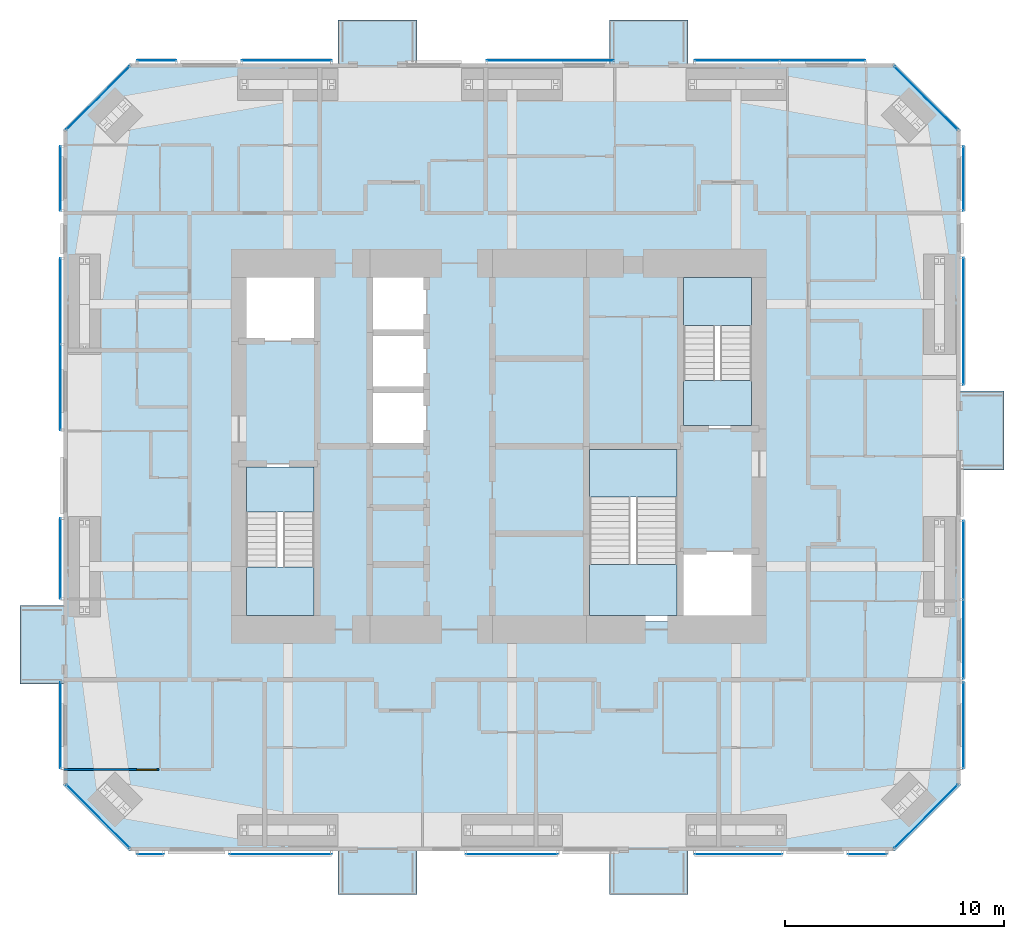
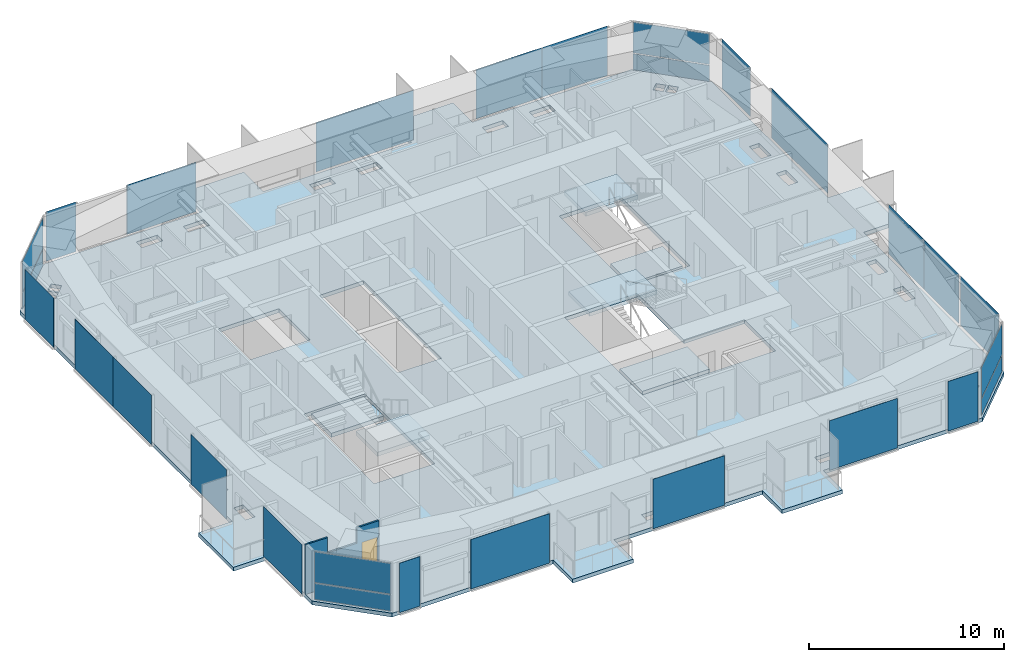
# One storey, part 14 of 23: 28 plates, 7 slabs, 1 door, 1 wall, 1 opening, 24 elements without a shape of their own.
"""IFC4 building model written with IfcOpenShell, lengths in metres."""

import ifcopenshell
import ifcopenshell.guid

model = None  # the IFC model being written
_history = None  # IfcOwnerHistory: only IFC2X3 demands one
_inside = {}  # id of a spatial element -> (the spatial element, [elements in it])
_under = {}  # id of a project, library or spatial element -> (it, [spatial elements below it])
_declared = {}  # id of a project -> (the project, [libraries it declares])
_typed = {}  # id of a type object -> (the type object, [elements of that type])
_made_of = {}  # id of a material, layer set ... -> (it, [elements and type objects made of it])


def new_model(schema):
    """Start an empty IFC model of exactly this schema.

    Asked for "IFC4X3", IfcOpenShell would pick the latest addendum, in which some entities
    have other attributes; the version numbers below select the first issue.
    IFC2X3 requires an IfcOwnerHistory on every rooted entity: one is made here for all.
    """
    global model, _history
    if schema == "IFC4X3":
        model = ifcopenshell.file(schema_version=(4, 3, 0, 0))
    else:
        model = ifcopenshell.file(schema=schema)
    _inside.clear()
    _under.clear()
    _declared.clear()
    _typed.clear()
    _made_of.clear()
    _history = None
    if model.schema == "IFC2X3":
        org = make("IfcOrganization", Name="unknown")
        user = make(
            "IfcPersonAndOrganization",
            ThePerson=make("IfcPerson", FamilyName="unknown"),
            TheOrganization=org,
        )
        app = make(
            "IfcApplication",
            ApplicationDeveloper=org,
            Version="unknown",
            ApplicationFullName="unknown",
            ApplicationIdentifier="unknown",
        )
        _history = make(
            "IfcOwnerHistory",
            OwningUser=user,
            OwningApplication=app,
            ChangeAction="ADDED",
            CreationDate=0,
        )
    return model


def make(cls, **values):
    """One entity of the class cls with the attributes given. An attribute that is None is left unset."""
    return model.create_entity(
        cls, **{name: value for name, value in values.items() if value is not None}
    )


def rooted(cls, **values):
    """An entity with a GlobalId (a new one), such as an element, a storey or a relation."""
    return make(cls, GlobalId=ifcopenshell.guid.new(), OwnerHistory=_history, **values)


def si_unit(unit_type, name, prefix=None):
    """IfcSIUnit, for example si_unit("LENGTHUNIT", "METRE", prefix="MILLI")."""
    return make("IfcSIUnit", UnitType=unit_type, Prefix=prefix, Name=name)


def assignment(units):
    """IfcUnitAssignment: the units of a project."""
    return None if units is None else make("IfcUnitAssignment", Units=units)


def point(xyz):
    """IfcCartesianPoint."""
    return None if xyz is None else make("IfcCartesianPoint", Coordinates=xyz)


def direction(xyz):
    """IfcDirection."""
    return None if xyz is None else make("IfcDirection", DirectionRatios=xyz)


def frame(location, z_axis=None, x_axis=None):
    """IfcAxis2Placement3D, a coordinate frame: its origin and axes. An axis left out is left unset."""
    return make(
        "IfcAxis2Placement3D",
        Location=point(location),
        Axis=direction(z_axis),
        RefDirection=direction(x_axis),
    )


def frame_2d(location, x_axis=None):
    """IfcAxis2Placement2D, a coordinate frame in the plane: its origin and x axis."""
    return make(
        "IfcAxis2Placement2D", Location=point(location), RefDirection=direction(x_axis)
    )


def origin():
    """The frame at (0, 0, 0) with its axes left unset."""
    return frame((0.0, 0.0, 0.0))


def origin_2d():
    """The frame at (0, 0) in the plane with its x axis left unset."""
    return frame_2d((0.0, 0.0))


def place(relative_to, where):
    """IfcLocalPlacement: puts the frame where relative to a parent placement (None: the world)."""
    return make(
        "IfcLocalPlacement", PlacementRelTo=relative_to, RelativePlacement=where
    )


def context(
    kind, dimensions, precision=None, world=None, true_north=None, identifier=None
):
    """IfcGeometricRepresentationContext, for example the 3D "Model" context."""
    return make(
        "IfcGeometricRepresentationContext",
        ContextIdentifier=identifier,
        ContextType=kind,
        CoordinateSpaceDimension=dimensions,
        Precision=precision,
        WorldCoordinateSystem=world,
        TrueNorth=true_north,
    )


def subcontext(parent, identifier, kind, view, scale=None):
    """IfcGeometricRepresentationSubContext, for example "Body" below "Model"."""
    return make(
        "IfcGeometricRepresentationSubContext",
        ContextIdentifier=identifier,
        ContextType=kind,
        ParentContext=parent,
        TargetScale=scale,
        TargetView=view,
    )


def project(units=None, contexts=None):
    """IfcProject with its units and contexts."""
    return rooted(
        "IfcProject",
        Name="project",
        RepresentationContexts=contexts,
        UnitsInContext=assignment(units),
    )


def spatial(cls, under=None, at=None, **own):
    """A site, building, storey or space (cls), placed at a placement, below another one or the project."""
    s = rooted(cls, ObjectPlacement=at, **own)
    if under is not None:
        _under.setdefault(under.id(), (under, []))[1].append(s)
    return s


def polyline(points):
    """IfcPolyline through the points."""
    return make("IfcPolyline", Points=[point(p) for p in points])


def profile(cls, at=None, kind="AREA", **sizes):
    """A parametric profile (cls). Its sizes go by their IFC names, for example OverallWidth=200.0."""
    return make(cls, ProfileType=kind, Position=at, **sizes)


def rectangle(**sizes):
    """IfcRectangleProfileDef."""
    return profile("IfcRectangleProfileDef", **sizes)


def outline(outer, holes=None, kind="AREA"):
    """IfcArbitraryClosedProfileDef: a profile drawn as a closed curve; with holes, ...WithVoids."""
    if holes is None:
        return make("IfcArbitraryClosedProfileDef", ProfileType=kind, OuterCurve=outer)
    return make(
        "IfcArbitraryProfileDefWithVoids",
        ProfileType=kind,
        OuterCurve=outer,
        InnerCurves=holes,
    )


def extrude(swept, where, along, depth):
    """IfcExtrudedAreaSolid: the profile swept, set in the frame where, extruded along a direction by depth."""
    return make(
        "IfcExtrudedAreaSolid",
        SweptArea=swept,
        Position=where,
        ExtrudedDirection=direction(along),
        Depth=depth,
    )


def shape(context_of_items, identifier, shape_type, items):
    """IfcShapeRepresentation: the items that make up one representation, for example the "Body"."""
    return make(
        "IfcShapeRepresentation",
        ContextOfItems=context_of_items,
        RepresentationIdentifier=identifier,
        RepresentationType=shape_type,
        Items=items,
    )


def material(Name=None, Category=None):
    """IfcMaterial."""
    return make("IfcMaterial", Name=Name, Category=Category)


def layer(
    of_material, thickness, ventilated=None, Name=None, Category=None, Priority=None
):
    """IfcMaterialLayer: one layer of a wall or slab, of a material (None: an air gap)."""
    return make(
        "IfcMaterialLayer",
        Material=of_material,
        LayerThickness=thickness,
        IsVentilated=ventilated,
        Name=Name,
        Category=Category,
        Priority=Priority,
    )


def layer_set(layers, Name=None):
    """IfcMaterialLayerSet."""
    return make("IfcMaterialLayerSet", MaterialLayers=layers, LayerSetName=Name)


def constituent(of_material, Name=None, Category=None, fraction=None):
    """IfcMaterialConstituent: one of the materials an element consists of."""
    return make(
        "IfcMaterialConstituent",
        Name=Name,
        Material=of_material,
        Fraction=fraction,
        Category=Category,
    )


def constituent_set(constituents=None, Name=None):
    """IfcMaterialConstituentSet."""
    return make(
        "IfcMaterialConstituentSet", Name=Name, MaterialConstituents=constituents
    )


def made_of(thing, what):
    """Note that an element or type object is made of a material, layer set ...; save() writes the relation."""
    if what is not None:
        _made_of.setdefault(what.id(), (what, []))[1].append(thing)
    return thing


def type_object(cls, material=None, **own):
    """A type object (cls), such as IfcWallType, which elements share."""
    return made_of(rooted(cls, **own), material)


def element(
    cls,
    number,
    at=None,
    inside=None,
    cuts=None,
    type_object=None,
    material=None,
    context=None,
    identifier="Body",
    shape_type=None,
    held_by="IfcProductDefinitionShape",
    body=None,
    shapes=None,
    **own,
):
    """One element of the class cls, such as IfcWall. Its Tag is "e" and its number.

    at: its placement. inside: the storey or other place that contains it. cuts: it is an
    opening in that element (IfcRelVoidsElement). A single representation is given by context,
    identifier, shape_type and body (its items); several are given by shapes. held_by: the class
    of the entity that holds the representations. save() writes the other relations.
    """
    e = rooted(cls, Tag="e%d" % number, ObjectPlacement=at, **own)
    if body is not None:
        shapes = [shape(context, identifier, shape_type, body)]
    if shapes is not None:
        e.Representation = make(held_by, Representations=shapes)
    if inside is not None:
        _inside.setdefault(inside.id(), (inside, []))[1].append(e)
    if cuts is not None:
        rooted(
            "IfcRelVoidsElement", RelatingBuildingElement=cuts, RelatedOpeningElement=e
        )
    if type_object is not None:
        _typed.setdefault(type_object.id(), (type_object, []))[1].append(e)
    return made_of(e, material)


def fill(opening, filler):
    """IfcRelFillsElement: the door or window that sits in an opening."""
    return rooted(
        "IfcRelFillsElement",
        RelatingOpeningElement=opening,
        RelatedBuildingElement=filler,
    )


def aggregate(whole, parts):
    """IfcRelAggregates: a whole, such as a stair, and the parts it consists of."""
    return rooted("IfcRelAggregates", RelatingObject=whole, RelatedObjects=parts)


def save(model, path):
    """Write the relations noted so far, then the file.

    IfcRelAggregates (storeys below a building ...), IfcRelContainedInSpatialStructure (elements
    in a storey), IfcRelDefinesByType, IfcRelAssociatesMaterial and IfcRelDeclares: one each for
    every whole, place, type object, material and project.
    """
    for whole, parts in _under.values():
        aggregate(whole, parts)
    for where, things in _inside.values():
        rooted(
            "IfcRelContainedInSpatialStructure",
            RelatedElements=things,
            RelatingStructure=where,
        )
    for kind, things in _typed.values():
        rooted("IfcRelDefinesByType", RelatedObjects=things, RelatingType=kind)
    for what, things in _made_of.values():
        rooted("IfcRelAssociatesMaterial", RelatedObjects=things, RelatingMaterial=what)
    for by, libraries in _declared.values():
        rooted("IfcRelDeclares", RelatingContext=by, RelatedDefinitions=libraries)
    model.write(path)


model = new_model("IFC4")

# Units and contexts
model_context = context("Model", 3, precision=1e-05, world=origin(), true_north=direction((0.0, 1.0)))
body_context = subcontext(model_context, "Body", "Model", "MODEL_VIEW")
ifc_project = project(units=[si_unit("LENGTHUNIT", "METRE"), si_unit("AREAUNIT", "SQUARE_METRE"), si_unit("VOLUMEUNIT", "CUBIC_METRE"), si_unit("PLANEANGLEUNIT", "RADIAN"), si_unit("MASSUNIT", "GRAM", prefix="KILO")], contexts=[model_context])

# Site, building, storey
site_placement = place(None, origin())
site = spatial("IfcSite", under=ifc_project, at=site_placement, CompositionType="ELEMENT")
building_placement = place(site_placement, origin())
building = spatial("IfcBuilding", under=site, at=building_placement, Name="Jalousie Tower", CompositionType="ELEMENT")
storey_placement = place(building_placement, frame((0.0, 0.0, 167.75)))
storey = spatial("IfcBuildingStorey", under=building, at=storey_placement, Name="L45", CompositionType="ELEMENT", Elevation=167.75)

# Curtain wall, plates
ifc_material_1 = material(Name="Aluminium curtain wall", Category="aluminium")
curtain_wall_type_1 = type_object("IfcCurtainWallType", Name="CORNER WINDOW WALL", PredefinedType="USERDEFINED", material=ifc_material_1)
curtain_wall_1_placement = place(storey_placement, origin())
curtain_wall_1 = element("IfcCurtainWall", 1, at=curtain_wall_1_placement, inside=storey, type_object=curtain_wall_type_1, Name="Corner Window Wall L45 2", ObjectType="CORNER WINDOW WALL", PredefinedType="USERDEFINED")
ifc_material_2 = material(Name="Laminated impact-rated spandrel glass", Category="glass")
ifc_layer_1 = layer(ifc_material_2, 0.028076171875)
ifc_layer_set_1 = layer_set([ifc_layer_1], Name="Laminated impact-rated spandrel glass")
plate_type_1 = type_object("IfcPlateType", Name="CORNER WINDOW WALL PANEL", PredefinedType="CURTAIN_PANEL", material=ifc_layer_set_1)
plate_1_placement = place(storey_placement, frame((51.4306640625, 1.5693359375, 0.06005859375), z_axis=(0.0, 0.0, 1.0), x_axis=(0.707106781187, 0.707106781187, 0.0)))
plate_1 = element("IfcPlate", 2, at=plate_1_placement, type_object=plate_type_1, Name="CW-C panel 1.1", PredefinedType="CURTAIN_PANEL", context=body_context, shape_type="SweptSolid", body=[
    extrude(rectangle(XDim=4.071533203125, YDim=0.028076171875, at=origin_2d()), origin(), (0.0, 0.0, 1.0), 1.010009765625),
])
plate_2_placement = place(storey_placement, frame((51.4306640625, 1.5693359375, 1.130126953125), z_axis=(0.0, 0.0, 1.0), x_axis=(0.707106781187, 0.707106781187, 0.0)))
plate_2 = element("IfcPlate", 3, at=plate_2_placement, type_object=plate_type_1, Name="CW-C panel 1.2", PredefinedType="CURTAIN_PANEL", context=body_context, shape_type="SweptSolid", body=[
    extrude(rectangle(XDim=4.071533203125, YDim=0.028076171875, at=origin_2d()), origin(), (0.0, 0.0, 1.0), 1.919921875),
])
aggregate(curtain_wall_1, [plate_1, plate_2])

curtain_wall_2_placement = place(storey_placement, origin())
curtain_wall_2 = element("IfcCurtainWall", 4, at=curtain_wall_2_placement, inside=storey, type_object=curtain_wall_type_1, Name="Corner Window Wall L45 4", ObjectType="CORNER WINDOW WALL", PredefinedType="USERDEFINED")
plate_3_placement = place(storey_placement, frame((51.4306640625, 34.4306640625, 0.06005859375), z_axis=(0.0, 0.0, 1.0), x_axis=(-0.707106781187, 0.707106781187, 0.0)))
plate_3 = element("IfcPlate", 5, at=plate_3_placement, type_object=plate_type_1, Name="CW-C panel 1.1", PredefinedType="CURTAIN_PANEL", context=body_context, shape_type="SweptSolid", body=[
    extrude(rectangle(XDim=4.071533203125, YDim=0.028076171875, at=origin_2d()), origin(), (0.0, 0.0, 1.0), 1.010009765625),
])
plate_4_placement = place(storey_placement, frame((51.4306640625, 34.4306640625, 1.130126953125), z_axis=(0.0, 0.0, 1.0), x_axis=(-0.707106781187, 0.707106781187, 0.0)))
plate_4 = element("IfcPlate", 6, at=plate_4_placement, type_object=plate_type_1, Name="CW-C panel 1.2", PredefinedType="CURTAIN_PANEL", context=body_context, shape_type="SweptSolid", body=[
    extrude(rectangle(XDim=4.071533203125, YDim=0.028076171875, at=origin_2d()), origin(), (0.0, 0.0, 1.0), 1.919921875),
])
aggregate(curtain_wall_2, [plate_3, plate_4])

curtain_wall_3_placement = place(storey_placement, origin())
curtain_wall_3 = element("IfcCurtainWall", 7, at=curtain_wall_3_placement, inside=storey, type_object=curtain_wall_type_1, Name="Corner Window Wall L45 6", ObjectType="CORNER WINDOW WALL", PredefinedType="USERDEFINED")
plate_5_placement = place(storey_placement, frame((13.5693359375, 34.4306640625, 0.06005859375), z_axis=(0.0, 0.0, 1.0), x_axis=(-0.707106781187, -0.707106781187, 0.0)))
plate_5 = element("IfcPlate", 8, at=plate_5_placement, type_object=plate_type_1, Name="CW-C panel 1.1", PredefinedType="CURTAIN_PANEL", context=body_context, shape_type="SweptSolid", body=[
    extrude(rectangle(XDim=4.071533203125, YDim=0.028076171875, at=origin_2d()), origin(), (0.0, 0.0, 1.0), 1.010009765625),
])
plate_6_placement = place(storey_placement, frame((13.5693359375, 34.4306640625, 1.130126953125), z_axis=(0.0, 0.0, 1.0), x_axis=(-0.707106781187, -0.707106781187, 0.0)))
plate_6 = element("IfcPlate", 9, at=plate_6_placement, type_object=plate_type_1, Name="CW-C panel 1.2", PredefinedType="CURTAIN_PANEL", context=body_context, shape_type="SweptSolid", body=[
    extrude(rectangle(XDim=4.071533203125, YDim=0.028076171875, at=origin_2d()), origin(), (0.0, 0.0, 1.0), 1.919921875),
])
aggregate(curtain_wall_3, [plate_5, plate_6])

curtain_wall_4_placement = place(storey_placement, origin())
curtain_wall_4 = element("IfcCurtainWall", 10, at=curtain_wall_4_placement, inside=storey, type_object=curtain_wall_type_1, Name="Corner Window Wall L45 8", ObjectType="CORNER WINDOW WALL", PredefinedType="USERDEFINED")
plate_7_placement = place(storey_placement, frame((13.5693359375, 1.5693359375, 0.06005859375), z_axis=(0.0, 0.0, 1.0), x_axis=(0.707106781187, -0.707106781187, 0.0)))
plate_7 = element("IfcPlate", 11, at=plate_7_placement, type_object=plate_type_1, Name="CW-C panel 1.1", PredefinedType="CURTAIN_PANEL", context=body_context, shape_type="SweptSolid", body=[
    extrude(rectangle(XDim=4.071533203125, YDim=0.028076171875, at=origin_2d()), origin(), (0.0, 0.0, 1.0), 1.010009765625),
])
plate_8_placement = place(storey_placement, frame((13.5693359375, 1.5693359375, 1.130126953125), z_axis=(0.0, 0.0, 1.0), x_axis=(0.707106781187, -0.707106781187, 0.0)))
plate_8 = element("IfcPlate", 12, at=plate_8_placement, type_object=plate_type_1, Name="CW-C panel 1.2", PredefinedType="CURTAIN_PANEL", context=body_context, shape_type="SweptSolid", body=[
    extrude(rectangle(XDim=4.071533203125, YDim=0.028076171875, at=origin_2d()), origin(), (0.0, 0.0, 1.0), 1.919921875),
])
aggregate(curtain_wall_4, [plate_7, plate_8])

# Slab
ifc_material_3 = material(Name="Concrete f'c 40 MPa", Category="concrete")
ifc_layer_2 = layer(ifc_material_3, 0.239990234375)
ifc_layer_set_2 = layer_set([ifc_layer_2], Name="Concrete f'c 40 MPa")
slab_type_1 = type_object("IfcSlabType", Name="FLOOR SLAB 240", PredefinedType="FLOOR", material=ifc_layer_set_2)
slab_1_placement = place(storey_placement, frame((0.0, 0.0, -0.239990234375)))
element("IfcSlab", 13, at=slab_1_placement, inside=storey, type_object=slab_type_1, Name="L45 floor slab", PredefinedType="FLOOR", context=body_context, shape_type="SweptSolid", body=[
    extrude(outline(polyline([(40.550048828125, 38.0), (40.550048828125, 36.0), (50.0, 36.0), (53.0, 33.0), (53.0, 21.02490234375), (55.0, 21.02490234375), (55.0, 17.425048828125), (53.0, 17.425048828125), (53.0, 3.0), (50.0, 0.0), (40.550048828125, 0.0), (40.550048828125, -2.0), (36.949951171875, -2.0), (36.949951171875, 0.0), (28.14990234375, 0.0), (28.14990234375, -2.0), (24.550048828125, -2.0), (24.550048828125, 0.0), (15.0, 0.0), (12.0, 3.0), (12.0, 7.625), (10.0, 7.625), (10.0, 11.22509765625), (12.0, 11.22509765625), (12.0, 33.0), (15.0, 36.0), (24.550048828125, 36.0), (24.550048828125, 38.0), (28.14990234375, 38.0), (28.14990234375, 36.0), (36.949951171875, 36.0), (36.949951171875, 38.0), (40.550048828125, 38.0)]), holes=[polyline([(51.763916015625, 27.0), (51.763916015625, 25.77294921875), (52.336181640625, 25.77294921875), (52.336181640625, 27.0), (51.763916015625, 27.0)]), polyline([(52.336181640625, 24.22705078125), (51.763916015625, 24.22705078125), (51.763916015625, 23.0), (52.336181640625, 23.0), (52.336181640625, 24.22705078125)]), polyline([(52.336181640625, 15.0), (51.763916015625, 15.0), (51.763916015625, 13.77294921875), (52.336181640625, 13.77294921875), (52.336181640625, 15.0)]), polyline([(52.336181640625, 12.22705078125), (51.763916015625, 12.22705078125), (51.763916015625, 11.0), (52.336181640625, 11.0), (52.336181640625, 12.22705078125)]), polyline([(50.873291015625, 33.02490234375), (51.278076171875, 33.4296875), (50.89599609375, 33.811767578125), (50.4912109375, 33.406982421875), (50.873291015625, 33.02490234375)]), polyline([(50.89599609375, 2.188232421875), (51.278076171875, 2.5703125), (50.873291015625, 2.97509765625), (50.4912109375, 2.593017578125), (50.89599609375, 2.188232421875)]), polyline([(50.02490234375, 2.126708984375), (50.4296875, 1.721923828125), (50.811767578125, 2.10400390625), (50.406982421875, 2.5087890625), (50.02490234375, 2.126708984375)]), polyline([(50.02490234375, 33.873291015625), (50.406982421875, 33.4912109375), (50.811767578125, 33.89599609375), (50.4296875, 34.278076171875), (50.02490234375, 33.873291015625)]), polyline([(43.52294921875, 34.763916015625), (44.75, 34.763916015625), (44.75, 35.336181640625), (43.52294921875, 35.336181640625), (43.52294921875, 34.763916015625)]), polyline([(43.52294921875, 0.663818359375), (44.75, 0.663818359375), (44.75, 1.236083984375), (43.52294921875, 1.236083984375), (43.52294921875, 0.663818359375)]), polyline([(43.800048828125, 26.5), (40.199951171875, 26.5), (40.199951171875, 19.300048828125), (43.800048828125, 19.300048828125), (43.800048828125, 26.5)]), polyline([(35.89990234375, 18.5), (35.89990234375, 10.5), (43.800048828125, 10.5), (43.800048828125, 13.699951171875), (40.199951171875, 13.699951171875), (40.199951171875, 18.5), (35.89990234375, 18.5)]), polyline([(40.75, 34.763916015625), (41.97705078125, 34.763916015625), (41.97705078125, 35.336181640625), (40.75, 35.336181640625), (40.75, 34.763916015625)]), polyline([(40.75, 0.663818359375), (41.97705078125, 0.663818359375), (41.97705078125, 1.236083984375), (40.75, 1.236083984375), (40.75, 0.663818359375)]), polyline([(34.5, 0.663818359375), (34.5, 1.236083984375), (33.27294921875, 1.236083984375), (33.27294921875, 0.663818359375), (34.5, 0.663818359375)]), polyline([(34.5, 34.763916015625), (34.5, 35.336181640625), (33.27294921875, 35.336181640625), (33.27294921875, 34.763916015625), (34.5, 34.763916015625)]), polyline([(30.5, 35.336181640625), (30.5, 34.763916015625), (31.72705078125, 34.763916015625), (31.72705078125, 35.336181640625), (30.5, 35.336181640625)]), polyline([(30.5, 1.236083984375), (30.5, 0.663818359375), (31.72705078125, 0.663818359375), (31.72705078125, 1.236083984375), (30.5, 1.236083984375)]), polyline([(28.60009765625, 26.5), (26.0, 26.5), (26.0, 18.5), (28.60009765625, 18.5), (28.60009765625, 26.5)]), polyline([(24.25, 35.336181640625), (23.02294921875, 35.336181640625), (23.02294921875, 34.763916015625), (24.25, 34.763916015625), (24.25, 35.336181640625)]), polyline([(24.25, 0.663818359375), (24.25, 1.236083984375), (23.02294921875, 1.236083984375), (23.02294921875, 0.663818359375), (24.25, 0.663818359375)]), polyline([(23.60009765625, 26.5), (20.0, 26.5), (20.0, 23.300048828125), (23.60009765625, 23.300048828125), (23.60009765625, 26.5)]), polyline([(23.60009765625, 17.699951171875), (20.0, 17.699951171875), (20.0, 10.5), (23.60009765625, 10.5), (23.60009765625, 17.699951171875)]), polyline([(21.47705078125, 34.763916015625), (21.47705078125, 35.336181640625), (20.25, 35.336181640625), (20.25, 34.763916015625), (21.47705078125, 34.763916015625)]), polyline([(21.47705078125, 0.663818359375), (21.47705078125, 1.236083984375), (20.25, 1.236083984375), (20.25, 0.663818359375), (21.47705078125, 0.663818359375)]), polyline([(14.5703125, 34.278076171875), (14.188232421875, 33.89599609375), (14.593017578125, 33.4912109375), (14.97509765625, 33.873291015625), (14.5703125, 34.278076171875)]), polyline([(14.188232421875, 2.10400390625), (14.5703125, 1.721923828125), (14.97509765625, 2.126708984375), (14.593017578125, 2.5087890625), (14.188232421875, 2.10400390625)]), polyline([(14.126708984375, 33.02490234375), (14.5087890625, 33.406982421875), (14.10400390625, 33.811767578125), (13.721923828125, 33.4296875), (14.126708984375, 33.02490234375)]), polyline([(14.10400390625, 2.188232421875), (14.5087890625, 2.593017578125), (14.126708984375, 2.97509765625), (13.721923828125, 2.5703125), (14.10400390625, 2.188232421875)]), polyline([(12.663818359375, 23.0), (13.236083984375, 23.0), (13.236083984375, 24.22705078125), (12.663818359375, 24.22705078125), (12.663818359375, 23.0)]), polyline([(13.236083984375, 27.0), (12.663818359375, 27.0), (12.663818359375, 25.77294921875), (13.236083984375, 25.77294921875), (13.236083984375, 27.0)]), polyline([(12.663818359375, 15.0), (12.663818359375, 13.77294921875), (13.236083984375, 13.77294921875), (13.236083984375, 15.0), (12.663818359375, 15.0)]), polyline([(13.236083984375, 12.22705078125), (12.663818359375, 12.22705078125), (12.663818359375, 11.0), (13.236083984375, 11.0), (13.236083984375, 12.22705078125)])]), origin(), (0.0, 0.0, 1.0), 0.239990234375),
])

# Curtain wall, plate
ifc_material_4 = material(Name="Perforated aluminium sheet", Category="aluminium")
curtain_wall_type_2 = type_object("IfcCurtainWallType", Name="SOLAR SCREEN SS-1", PredefinedType="USERDEFINED", material=ifc_material_4)
curtain_wall_5_placement = place(storey_placement, origin())
curtain_wall_5 = element("IfcCurtainWall", 14, at=curtain_wall_5_placement, inside=storey, type_object=curtain_wall_type_2, Name="Solar screen L45", ObjectType="SOLAR SCREEN SS-1", PredefinedType="USERDEFINED")
ifc_material_5 = material(Name="Perforated aluminium sheet", Category="aluminium")
ifc_layer_3 = layer(ifc_material_5, 0.006103515625)
ifc_layer_set_3 = layer_set([ifc_layer_3], Name="Perforated aluminium sheet")
plate_type_2 = type_object("IfcPlateType", Name="SOLAR SCREEN SS-1 PANEL", PredefinedType="CURTAIN_PANEL", material=ifc_layer_set_3)
plate_9_placement = place(storey_placement, frame((15.96337890625, -0.150390625, 0.0), z_axis=(0.0, 0.0, 1.0), x_axis=(1.0, 0.0, 0.0)))
plate_9 = element("IfcPlate", 15, at=plate_9_placement, type_object=plate_type_2, Name="SS1 perforated panel 1", PredefinedType="CURTAIN_PANEL", context=body_context, shape_type="SweptSolid", body=[
    extrude(rectangle(XDim=1.224365234375, YDim=0.006103515625, at=origin_2d()), origin(), (0.0, 0.0, 1.0), 3.110107421875),
])
aggregate(curtain_wall_5, [plate_9])

curtain_wall_6_placement = place(storey_placement, origin())
curtain_wall_6 = element("IfcCurtainWall", 16, at=curtain_wall_6_placement, inside=storey, type_object=curtain_wall_type_2, Name="Solar screen L45", ObjectType="SOLAR SCREEN SS-1", PredefinedType="USERDEFINED")
plate_10_placement = place(storey_placement, frame((21.912841796875, -0.150390625, 0.0), z_axis=(0.0, 0.0, 1.0), x_axis=(1.0, 0.0, 0.0)))
plate_10 = element("IfcPlate", 17, at=plate_10_placement, type_object=plate_type_2, Name="SS1 perforated panel 1", PredefinedType="CURTAIN_PANEL", context=body_context, shape_type="SweptSolid", body=[
    extrude(rectangle(XDim=4.67431640625, YDim=0.006103515625, at=origin_2d()), origin(), (0.0, 0.0, 1.0), 3.110107421875),
])
aggregate(curtain_wall_6, [plate_10])

curtain_wall_7_placement = place(storey_placement, origin())
curtain_wall_7 = element("IfcCurtainWall", 18, at=curtain_wall_7_placement, inside=storey, type_object=curtain_wall_type_2, Name="Solar screen L45", ObjectType="SOLAR SCREEN SS-1", PredefinedType="USERDEFINED")
plate_11_placement = place(storey_placement, frame((32.489501953125, -0.150390625, 0.0), z_axis=(0.0, 0.0, 1.0), x_axis=(1.0, 0.0, 0.0)))
plate_11 = element("IfcPlate", 19, at=plate_11_placement, type_object=plate_type_2, Name="SS1 perforated panel 1", PredefinedType="CURTAIN_PANEL", context=body_context, shape_type="SweptSolid", body=[
    extrude(rectangle(XDim=4.22119140625, YDim=0.006103515625, at=origin_2d()), origin(), (0.0, 0.0, 1.0), 3.110107421875),
])
aggregate(curtain_wall_7, [plate_11])

curtain_wall_8_placement = place(storey_placement, origin())
curtain_wall_8 = element("IfcCurtainWall", 20, at=curtain_wall_8_placement, inside=storey, type_object=curtain_wall_type_2, Name="Solar screen L45", ObjectType="SOLAR SCREEN SS-1", PredefinedType="USERDEFINED")
plate_12_placement = place(storey_placement, frame((42.8544921875, -0.150390625, 0.0), z_axis=(0.0, 0.0, 1.0), x_axis=(1.0, 0.0, 0.0)))
plate_12 = element("IfcPlate", 21, at=plate_12_placement, type_object=plate_type_2, Name="SS1 perforated panel 1", PredefinedType="CURTAIN_PANEL", context=body_context, shape_type="SweptSolid", body=[
    extrude(rectangle(XDim=4.00927734375, YDim=0.006103515625, at=origin_2d()), origin(), (0.0, 0.0, 1.0), 3.110107421875),
])
aggregate(curtain_wall_8, [plate_12])

curtain_wall_9_placement = place(storey_placement, origin())
curtain_wall_9 = element("IfcCurtainWall", 22, at=curtain_wall_9_placement, inside=storey, type_object=curtain_wall_type_2, Name="Solar screen L45", ObjectType="SOLAR SCREEN SS-1", PredefinedType="USERDEFINED")
plate_13_placement = place(storey_placement, frame((48.75390625, -0.150390625, 0.0), z_axis=(0.0, 0.0, 1.0), x_axis=(1.0, 0.0, 0.0)))
plate_13 = element("IfcPlate", 23, at=plate_13_placement, type_object=plate_type_2, Name="SS1 perforated panel 1", PredefinedType="CURTAIN_PANEL", context=body_context, shape_type="SweptSolid", body=[
    extrude(rectangle(XDim=1.789306640625, YDim=0.006103515625, at=origin_2d()), origin(), (0.0, 0.0, 1.0), 3.110107421875),
])
aggregate(curtain_wall_9, [plate_13])

curtain_wall_10_placement = place(storey_placement, origin())
curtain_wall_10 = element("IfcCurtainWall", 24, at=curtain_wall_10_placement, inside=storey, type_object=curtain_wall_type_2, Name="Solar screen L45", ObjectType="SOLAR SCREEN SS-1", PredefinedType="USERDEFINED")
plate_14_placement = place(storey_placement, frame((53.150390625, 5.748046875, 0.0), z_axis=(0.0, 0.0, 1.0), x_axis=(0.0, 1.0, 0.0)))
plate_14 = element("IfcPlate", 25, at=plate_14_placement, type_object=plate_type_2, Name="SS1 perforated panel 1", PredefinedType="CURTAIN_PANEL", context=body_context, shape_type="SweptSolid", body=[
    extrude(rectangle(XDim=3.95361328125, YDim=0.006103515625, at=origin_2d()), origin(), (0.0, 0.0, 1.0), 3.110107421875),
])
aggregate(curtain_wall_10, [plate_14])

# Curtain wall, plates
curtain_wall_11_placement = place(storey_placement, origin())
curtain_wall_11 = element("IfcCurtainWall", 26, at=curtain_wall_11_placement, inside=storey, type_object=curtain_wall_type_2, Name="Solar screen L45", ObjectType="SOLAR SCREEN SS-1", PredefinedType="USERDEFINED")
plate_15_placement = place(storey_placement, frame((53.150390625, 9.681396484375, 0.0), z_axis=(0.0, 0.0, 1.0), x_axis=(0.0, 1.0, 0.0)))
plate_15 = element("IfcPlate", 27, at=plate_15_placement, type_object=plate_type_2, Name="SS1 perforated panel 1", PredefinedType="CURTAIN_PANEL", context=body_context, shape_type="SweptSolid", body=[
    extrude(rectangle(XDim=3.612548828125, YDim=0.006103515625, at=origin_2d()), origin(), (0.0, 0.0, 1.0), 3.110107421875),
])
plate_16_placement = place(storey_placement, frame((53.150390625, 13.293701171875, 0.0), z_axis=(0.0, 0.0, 1.0), x_axis=(0.0, 1.0, 0.0)))
plate_16 = element("IfcPlate", 28, at=plate_16_placement, type_object=plate_type_2, Name="SS1 perforated panel 2", PredefinedType="CURTAIN_PANEL", context=body_context, shape_type="SweptSolid", body=[
    extrude(rectangle(XDim=3.612548828125, YDim=0.006103515625, at=origin_2d()), origin(), (0.0, 0.0, 1.0), 3.110107421875),
])
aggregate(curtain_wall_11, [plate_15, plate_16])

# Curtain wall, plate
curtain_wall_12_placement = place(storey_placement, origin())
curtain_wall_12 = element("IfcCurtainWall", 29, at=curtain_wall_12_placement, inside=storey, type_object=curtain_wall_type_2, Name="Solar screen L45", ObjectType="SOLAR SCREEN SS-1", PredefinedType="USERDEFINED")
plate_17_placement = place(storey_placement, frame((53.150390625, 24.224853515625, 0.0), z_axis=(0.0, 0.0, 1.0), x_axis=(0.0, 1.0, 0.0)))
plate_17 = element("IfcPlate", 30, at=plate_17_placement, type_object=plate_type_2, Name="SS1 perforated panel 1", PredefinedType="CURTAIN_PANEL", context=body_context, shape_type="SweptSolid", body=[
    extrude(rectangle(XDim=5.799560546875, YDim=0.006103515625, at=origin_2d()), origin(), (0.0, 0.0, 1.0), 3.110107421875),
])
aggregate(curtain_wall_12, [plate_17])

curtain_wall_13_placement = place(storey_placement, origin())
curtain_wall_13 = element("IfcCurtainWall", 31, at=curtain_wall_13_placement, inside=storey, type_object=curtain_wall_type_2, Name="Solar screen L45", ObjectType="SOLAR SCREEN SS-1", PredefinedType="USERDEFINED")
plate_18_placement = place(storey_placement, frame((53.150390625, 30.751953125, 0.0), z_axis=(0.0, 0.0, 1.0), x_axis=(0.0, 1.0, 0.0)))
plate_18 = element("IfcPlate", 32, at=plate_18_placement, type_object=plate_type_2, Name="SS1 perforated panel 1", PredefinedType="CURTAIN_PANEL", context=body_context, shape_type="SweptSolid", body=[
    extrude(rectangle(XDim=2.95361328125, YDim=0.006103515625, at=origin_2d()), origin(), (0.0, 0.0, 1.0), 3.110107421875),
])
aggregate(curtain_wall_13, [plate_18])

# Curtain wall, plates
curtain_wall_14_placement = place(storey_placement, origin())
curtain_wall_14 = element("IfcCurtainWall", 33, at=curtain_wall_14_placement, inside=storey, type_object=curtain_wall_type_2, Name="Solar screen L45", ObjectType="SOLAR SCREEN SS-1", PredefinedType="USERDEFINED")
plate_19_placement = place(storey_placement, frame((46.699951171875, 36.150390625, 0.0), z_axis=(0.0, 0.0, 1.0), x_axis=(-1.0, 0.0, 0.0)))
plate_19 = element("IfcPlate", 34, at=plate_19_placement, type_object=plate_type_2, Name="SS1 perforated panel 1", PredefinedType="CURTAIN_PANEL", context=body_context, shape_type="SweptSolid", body=[
    extrude(rectangle(XDim=3.89990234375, YDim=0.006103515625, at=origin_2d()), origin(), (0.0, 0.0, 1.0), 3.110107421875),
])
plate_20_placement = place(storey_placement, frame((42.800048828125, 36.150390625, 0.0), z_axis=(0.0, 0.0, 1.0), x_axis=(-1.0, 0.0, 0.0)))
plate_20 = element("IfcPlate", 35, at=plate_20_placement, type_object=plate_type_2, Name="SS1 perforated panel 2", PredefinedType="CURTAIN_PANEL", context=body_context, shape_type="SweptSolid", body=[
    extrude(rectangle(XDim=3.89990234375, YDim=0.006103515625, at=origin_2d()), origin(), (0.0, 0.0, 1.0), 3.110107421875),
])
aggregate(curtain_wall_14, [plate_19, plate_20])

# Curtain wall, plate
curtain_wall_15_placement = place(storey_placement, origin())
curtain_wall_15 = element("IfcCurtainWall", 36, at=curtain_wall_15_placement, inside=storey, type_object=curtain_wall_type_2, Name="Solar screen L45", ObjectType="SOLAR SCREEN SS-1", PredefinedType="USERDEFINED")
plate_21_placement = place(storey_placement, frame((34.25, 36.150390625, 0.0), z_axis=(0.0, 0.0, 1.0), x_axis=(-1.0, 0.0, 0.0)))
plate_21 = element("IfcPlate", 37, at=plate_21_placement, type_object=plate_type_2, Name="SS1 perforated panel 1", PredefinedType="CURTAIN_PANEL", context=body_context, shape_type="SweptSolid", body=[
    extrude(rectangle(XDim=5.800048828125, YDim=0.006103515625, at=origin_2d()), origin(), (0.0, 0.0, 1.0), 3.110107421875),
])
aggregate(curtain_wall_15, [plate_21])

curtain_wall_16_placement = place(storey_placement, origin())
curtain_wall_16 = element("IfcCurtainWall", 38, at=curtain_wall_16_placement, inside=storey, type_object=curtain_wall_type_2, Name="Solar screen L45", ObjectType="SOLAR SCREEN SS-1", PredefinedType="USERDEFINED")
plate_22_placement = place(storey_placement, frame((22.197265625, 36.150390625, 0.0), z_axis=(0.0, 0.0, 1.0), x_axis=(-1.0, 0.0, 0.0)))
plate_22 = element("IfcPlate", 39, at=plate_22_placement, type_object=plate_type_2, Name="SS1 perforated panel 1", PredefinedType="CURTAIN_PANEL", context=body_context, shape_type="SweptSolid", body=[
    extrude(rectangle(XDim=4.10546875, YDim=0.006103515625, at=origin_2d()), origin(), (0.0, 0.0, 1.0), 3.110107421875),
])
aggregate(curtain_wall_16, [plate_22])

curtain_wall_17_placement = place(storey_placement, origin())
curtain_wall_17 = element("IfcCurtainWall", 40, at=curtain_wall_17_placement, inside=storey, type_object=curtain_wall_type_2, Name="Solar screen L45", ObjectType="SOLAR SCREEN SS-1", PredefinedType="USERDEFINED")
plate_23_placement = place(storey_placement, frame((16.247802734375, 36.150390625, 0.0), z_axis=(0.0, 0.0, 1.0), x_axis=(-1.0, 0.0, 0.0)))
plate_23 = element("IfcPlate", 41, at=plate_23_placement, type_object=plate_type_2, Name="SS1 perforated panel 1", PredefinedType="CURTAIN_PANEL", context=body_context, shape_type="SweptSolid", body=[
    extrude(rectangle(XDim=1.793212890625, YDim=0.006103515625, at=origin_2d()), origin(), (0.0, 0.0, 1.0), 3.110107421875),
])
aggregate(curtain_wall_17, [plate_23])

curtain_wall_18_placement = place(storey_placement, origin())
curtain_wall_18 = element("IfcCurtainWall", 42, at=curtain_wall_18_placement, inside=storey, type_object=curtain_wall_type_2, Name="Solar screen L45", ObjectType="SOLAR SCREEN SS-1", PredefinedType="USERDEFINED")
plate_24_placement = place(storey_placement, frame((11.849609375, 30.751953125, 0.0), z_axis=(0.0, 0.0, 1.0), x_axis=(0.0, -1.0, 0.0)))
plate_24 = element("IfcPlate", 43, at=plate_24_placement, type_object=plate_type_2, Name="SS1 perforated panel 1", PredefinedType="CURTAIN_PANEL", context=body_context, shape_type="SweptSolid", body=[
    extrude(rectangle(XDim=2.95361328125, YDim=0.006103515625, at=origin_2d()), origin(), (0.0, 0.0, 1.0), 3.110107421875),
])
aggregate(curtain_wall_18, [plate_24])

# Curtain wall, plates
curtain_wall_19_placement = place(storey_placement, origin())
curtain_wall_19 = element("IfcCurtainWall", 44, at=curtain_wall_19_placement, inside=storey, type_object=curtain_wall_type_2, Name="Solar screen L45", ObjectType="SOLAR SCREEN SS-1", PredefinedType="USERDEFINED")
plate_25_placement = place(storey_placement, frame((11.849609375, 25.137451171875, 0.0), z_axis=(0.0, 0.0, 1.0), x_axis=(0.0, -1.0, 0.0)))
plate_25 = element("IfcPlate", 45, at=plate_25_placement, type_object=plate_type_2, Name="SS1 perforated panel 1", PredefinedType="CURTAIN_PANEL", context=body_context, shape_type="SweptSolid", body=[
    extrude(rectangle(XDim=3.925048828125, YDim=0.006103515625, at=origin_2d()), origin(), (0.0, 0.0, 1.0), 3.110107421875),
])
plate_26_placement = place(storey_placement, frame((11.849609375, 21.21240234375, 0.0), z_axis=(0.0, 0.0, 1.0), x_axis=(0.0, -1.0, 0.0)))
plate_26 = element("IfcPlate", 46, at=plate_26_placement, type_object=plate_type_2, Name="SS1 perforated panel 2", PredefinedType="CURTAIN_PANEL", context=body_context, shape_type="SweptSolid", body=[
    extrude(rectangle(XDim=3.925048828125, YDim=0.006103515625, at=origin_2d()), origin(), (0.0, 0.0, 1.0), 3.110107421875),
])
aggregate(curtain_wall_19, [plate_25, plate_26])

# Curtain wall, plate
curtain_wall_20_placement = place(storey_placement, origin())
curtain_wall_20 = element("IfcCurtainWall", 47, at=curtain_wall_20_placement, inside=storey, type_object=curtain_wall_type_2, Name="Solar screen L45", ObjectType="SOLAR SCREEN SS-1", PredefinedType="USERDEFINED")
plate_27_placement = place(storey_placement, frame((11.849609375, 13.364990234375, 0.0), z_axis=(0.0, 0.0, 1.0), x_axis=(0.0, -1.0, 0.0)))
plate_27 = element("IfcPlate", 48, at=plate_27_placement, type_object=plate_type_2, Name="SS1 perforated panel 1", PredefinedType="CURTAIN_PANEL", context=body_context, shape_type="SweptSolid", body=[
    extrude(rectangle(XDim=3.679931640625, YDim=0.006103515625, at=origin_2d()), origin(), (0.0, 0.0, 1.0), 3.110107421875),
])
aggregate(curtain_wall_20, [plate_27])

curtain_wall_21_placement = place(storey_placement, origin())
curtain_wall_21 = element("IfcCurtainWall", 49, at=curtain_wall_21_placement, inside=storey, type_object=curtain_wall_type_2, Name="Solar screen L45", ObjectType="SOLAR SCREEN SS-1", PredefinedType="USERDEFINED")
plate_28_placement = place(storey_placement, frame((11.849609375, 5.748046875, 0.0), z_axis=(0.0, 0.0, 1.0), x_axis=(0.0, -1.0, 0.0)))
plate_28 = element("IfcPlate", 50, at=plate_28_placement, type_object=plate_type_2, Name="SS1 perforated panel 1", PredefinedType="CURTAIN_PANEL", context=body_context, shape_type="SweptSolid", body=[
    extrude(rectangle(XDim=3.95361328125, YDim=0.006103515625, at=origin_2d()), origin(), (0.0, 0.0, 1.0), 3.110107421875),
])
aggregate(curtain_wall_21, [plate_28])

# Stair, slabs
ifc_material_6 = material(Name="Concrete f'c 40 MPa", Category="concrete")
stair_type = type_object("IfcStairType", Name="EXIT STAIR", PredefinedType="HALF_TURN_STAIR", material=ifc_material_6)
stair_1_placement = place(storey_placement, origin())
stair_1 = element("IfcStair", 51, at=stair_1_placement, inside=storey, type_object=stair_type, Name="Exit stair A L45", PredefinedType="HALF_TURN_STAIR")
ifc_material_7 = material(Name="Concrete f'c 40 MPa", Category="concrete")
ifc_layer_4 = layer(ifc_material_7, 0.25)
ifc_layer_set_4 = layer_set([ifc_layer_4], Name="Concrete f'c 40 MPa")
slab_type_2 = type_object("IfcSlabType", Name="STAIR LANDING 250", PredefinedType="LANDING", material=ifc_layer_set_4)
slab_2_placement = place(storey_placement, frame((0.0, 0.0, -0.25)))
slab_2 = element("IfcSlab", 52, at=slab_2_placement, type_object=slab_type_2, Name="ST-A landing 1", PredefinedType="LANDING", context=body_context, shape_type="SweptSolid", body=[
    extrude(outline(polyline([(20.35009765625, 15.49755859375), (23.449951171875, 15.49755859375), (23.449951171875, 17.550048828125), (20.35009765625, 17.550048828125), (20.35009765625, 15.49755859375)])), origin(), (0.0, 0.0, 1.0), 0.25),
])
slab_3_placement = place(storey_placement, frame((0.0, 0.0, 1.425048828125)))
slab_3 = element("IfcSlab", 53, at=slab_3_placement, type_object=slab_type_2, Name="ST-A landing 2", PredefinedType="LANDING", context=body_context, shape_type="SweptSolid", body=[
    extrude(outline(polyline([(20.35009765625, 10.77490234375), (23.449951171875, 10.77490234375), (23.449951171875, 12.9775390625), (20.35009765625, 12.9775390625), (20.35009765625, 10.77490234375)])), origin(), (0.0, 0.0, 1.0), 0.25),
])
aggregate(stair_1, [slab_2, slab_3])

stair_2_placement = place(storey_placement, origin())
stair_2 = element("IfcStair", 54, at=stair_2_placement, inside=storey, type_object=stair_type, Name="Exit stair B L45", PredefinedType="HALF_TURN_STAIR")
slab_4_placement = place(storey_placement, frame((0.0, 0.0, -0.25)))
slab_4 = element("IfcSlab", 55, at=slab_4_placement, type_object=slab_type_2, Name="ST-B landing 1", PredefinedType="LANDING", context=body_context, shape_type="SweptSolid", body=[
    extrude(outline(polyline([(40.35009765625, 19.449951171875), (43.449951171875, 19.449951171875), (43.449951171875, 21.50244140625), (40.35009765625, 21.50244140625), (40.35009765625, 19.449951171875)])), origin(), (0.0, 0.0, 1.0), 0.25),
])
slab_5_placement = place(storey_placement, frame((0.0, 0.0, 1.425048828125)))
slab_5 = element("IfcSlab", 56, at=slab_5_placement, type_object=slab_type_2, Name="ST-B landing 2", PredefinedType="LANDING", context=body_context, shape_type="SweptSolid", body=[
    extrude(outline(polyline([(40.35009765625, 24.0224609375), (43.449951171875, 24.0224609375), (43.449951171875, 26.22509765625), (40.35009765625, 26.22509765625), (40.35009765625, 24.0224609375)])), origin(), (0.0, 0.0, 1.0), 0.25),
])
aggregate(stair_2, [slab_4, slab_5])

stair_3_placement = place(storey_placement, origin())
stair_3 = element("IfcStair", 57, at=stair_3_placement, inside=storey, type_object=stair_type, Name="Exit stair C L45", PredefinedType="HALF_TURN_STAIR")
slab_6_placement = place(storey_placement, frame((0.0, 0.0, -0.25)))
slab_6 = element("IfcSlab", 58, at=slab_6_placement, type_object=slab_type_2, Name="ST-C landing 1", PredefinedType="LANDING", context=body_context, shape_type="SweptSolid", body=[
    extrude(outline(polyline([(36.050048828125, 10.77490234375), (40.050048828125, 10.77490234375), (40.050048828125, 13.097412109375), (36.050048828125, 13.097412109375), (36.050048828125, 10.77490234375)])), origin(), (0.0, 0.0, 1.0), 0.25),
])
slab_7_placement = place(storey_placement, frame((0.0, 0.0, 1.425048828125)))
slab_7 = element("IfcSlab", 59, at=slab_7_placement, type_object=slab_type_2, Name="ST-C landing 2", PredefinedType="LANDING", context=body_context, shape_type="SweptSolid", body=[
    extrude(outline(polyline([(36.050048828125, 16.177490234375), (40.050048828125, 16.177490234375), (40.050048828125, 18.35009765625), (36.050048828125, 18.35009765625), (36.050048828125, 16.177490234375)])), origin(), (0.0, 0.0, 1.0), 0.25),
])
aggregate(stair_3, [slab_6, slab_7])

# Wall, opening, door
ifc_material_8 = material(Name="Gypsum board", Category="gypsum")
ifc_constituent_1 = constituent(ifc_material_8, Name="Body")
ifc_material_9 = material(Name="Light-gauge steel studs ASTM A653 SS Grade 33", Category="steel")
ifc_constituent_2 = constituent(ifc_material_9, Name="Framing")
ifc_constituent_set = constituent_set(constituents=[ifc_constituent_1, ifc_constituent_2])
wall_type = type_object("IfcWallType", Name="PARTITION 100", PredefinedType="PARTITIONING", material=ifc_constituent_set)
wall_placement = place(storey_placement, frame((16.35009765625, 3.72119140625, 0.0), z_axis=(0.0, 0.0, 1.0), x_axis=(-1.0, 0.0, 0.0)))
wall = element("IfcWall", 60, at=wall_placement, inside=storey, type_object=wall_type, Name="Partition 100 L45", PredefinedType="PARTITIONING", context=body_context, shape_type="SweptSolid", body=[
    extrude(outline(polyline([(0.0, 0.0), (4.35009765625, 0.0), (4.35009765625, 3.110107421875), (3.049072265625, 3.110107421875), (3.049072265625, 2.14990234375), (1.314453125, 2.14990234375), (1.314453125, 3.110107421875), (0.0, 3.110107421875), (0.0, 0.0)])), frame((0.0, 0.050048828125, 0.0), z_axis=(0.0, -1.0, 0.0), x_axis=(1.0, 0.0, 0.0)), (0.0, 0.0, 1.0), 0.10009765625),
])
opening_placement = place(wall_placement, frame((0.10009765625, 0.0, 0.0)))
opening = element("IfcOpeningElement", 61, at=opening_placement, cuts=wall, Name="Opening D2", PredefinedType="OPENING", context=body_context, shape_type="SweptSolid", body=[
    extrude(rectangle(XDim=0.89990234375, YDim=2.10009765625, at=frame_2d((0.449951171875, 1.050048828125))), frame((0.0, 0.06005859375, 0.0), z_axis=(0.0, -1.0, 0.0), x_axis=(1.0, 0.0, 0.0)), (0.0, 0.0, 1.0), 0.1201171875),
])
ifc_material_10 = material(Name="Timber door", Category="wood")
door_type = type_object("IfcDoorType", Name="BEDROOM DOOR 900", OperationType="SINGLE_SWING_LEFT", PredefinedType="DOOR", material=ifc_material_10)
door_placement = place(opening_placement, frame((0.89990234375, 0.0, 0.0), z_axis=(0.0, 0.0, 1.0), x_axis=(-1.0, 0.0, 0.0)))
door = element("IfcDoor", 62, at=door_placement, inside=storey, type_object=door_type, Name="Apartment 4501 bedroom 1 door", OperationType="SINGLE_SWING_RIGHT", OverallHeight=2.10009765625, OverallWidth=0.89990234375, PredefinedType="DOOR", context=body_context, shape_type="SweptSolid", body=[
    extrude(rectangle(XDim=0.89990234375, YDim=2.10009765625, at=frame_2d((0.449951171875, 1.050048828125))), frame((0.0, 0.02490234375, 0.0), z_axis=(0.0, -1.0, 0.0), x_axis=(1.0, 0.0, 0.0)), (0.0, 0.0, 1.0), 0.050048828125),
])
fill(opening, door)

save(model, "model.ifc")
